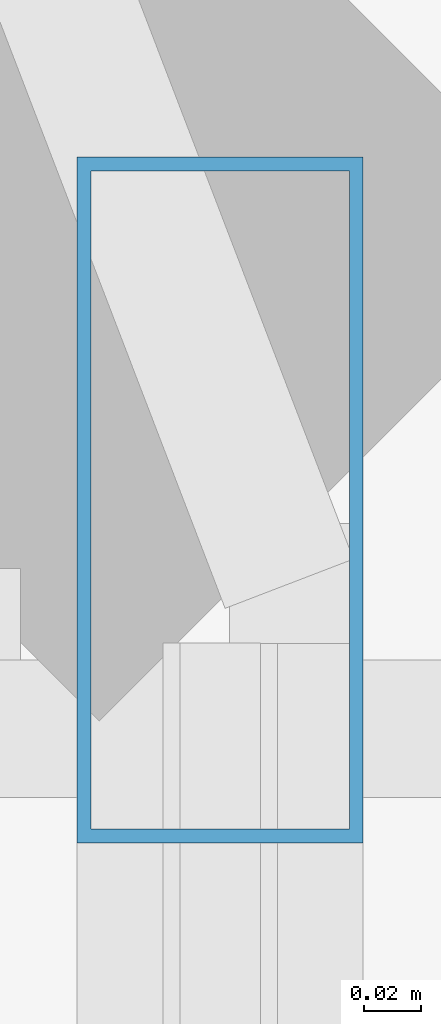
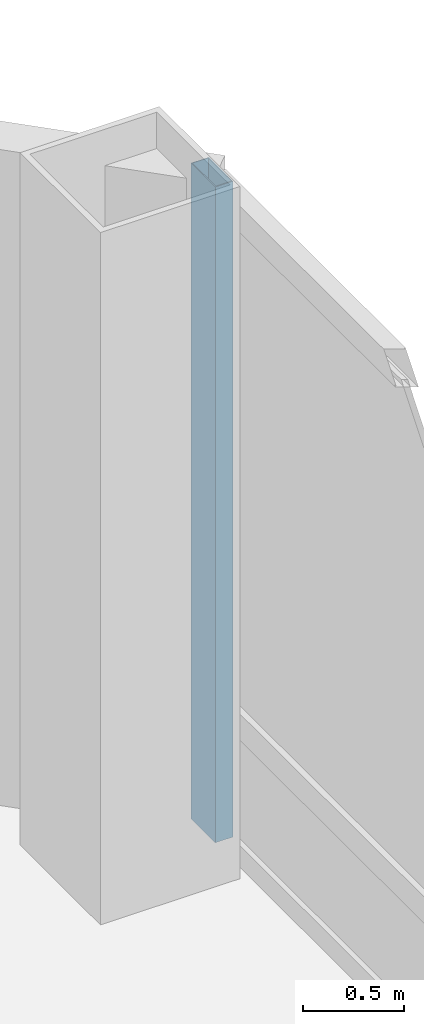
# One storey, part 17 of 29: 1 member, 1 element without a shape of its own.
"""IFC4 building model written with IfcOpenShell, lengths in metres."""

from ifc_helpers import new_model, si_unit, direction, frame, origin, origin_2d, place, context, subcontext, project, spatial, hollow_rectangle, extrude, material, layer, layer_set, material_profile, profile_set, type_object, element, aggregate, save


model = new_model("IFC4")

# Units and contexts
model_context = context("Model", 3, precision=1e-05, world=origin(), true_north=direction((0.0, 1.0)))
body_context = subcontext(model_context, "Body", "Model", "MODEL_VIEW")
ifc_project = project(units=[si_unit("LENGTHUNIT", "METRE"), si_unit("AREAUNIT", "SQUARE_METRE"), si_unit("VOLUMEUNIT", "CUBIC_METRE"), si_unit("PLANEANGLEUNIT", "RADIAN"), si_unit("MASSUNIT", "GRAM", prefix="KILO")], contexts=[model_context])

# Site, building, storey
site_placement = place(None, origin())
site = spatial("IfcSite", under=ifc_project, at=site_placement, CompositionType="ELEMENT")
building_placement = place(site_placement, origin())
building = spatial("IfcBuilding", under=site, at=building_placement, Name="Khorvyn Point Tower", CompositionType="ELEMENT")
storey_placement = place(building_placement, frame((0.0, 0.0, 26.39990234375)))
storey = spatial("IfcBuildingStorey", under=building, at=storey_placement, Name="L07", CompositionType="ELEMENT", Elevation=26.39990234375)

# Curtain wall, member
ifc_material_1 = material(Name="Anodised aluminium 6063-T6 and laminated Low-E glass", Category="aluminium")
ifc_layer = layer(ifc_material_1, 0.18994140625)
ifc_layer_set = layer_set([ifc_layer], Name="Stick-Built Finned Residential Curtain Wall CW-SYS-02")
curtain_wall_type = type_object("IfcCurtainWallType", Name="Stick-Built Finned Residential Curtain Wall CW-SYS-02", PredefinedType="NOTDEFINED", material=ifc_layer_set)
curtain_wall_placement = place(storey_placement, origin())
curtain_wall = element("IfcCurtainWall", 1, at=curtain_wall_placement, inside=storey, type_object=curtain_wall_type, Name="Curtain Wall", PredefinedType="NOTDEFINED")
ifc_material_2 = material(Name="Anodised aluminium 6063-T6", Category="aluminium")
ifc_material_profile = material_profile(ifc_material_2, hollow_rectangle(XDim=0.10009765625, YDim=0.239990234375, WallThickness=0.0048828125, at=origin_2d()))
ifc_profile_set = profile_set([ifc_material_profile], Name="Anodised aluminium 6063-T6 ALU-MUL-100x240")
member_type = type_object("IfcMemberType", Name="Anodised Aluminium 6063-T6 Mullion ALU-MUL-100x240", PredefinedType="MULLION", material=ifc_profile_set)
member_placement = place(storey_placement, frame((27.949951171875, 20.5, 0.0), z_axis=(0.0, 0.0, 1.0), x_axis=(1.0, 0.0, 0.0)))
member = element("IfcMember", 2, at=member_placement, type_object=member_type, Name="Transom", PredefinedType="MULLION", context=body_context, shape_type="SweptSolid", body=[
    extrude(hollow_rectangle(XDim=0.10009765625, YDim=0.239990234375, WallThickness=0.0048828125, at=origin_2d()), origin(), (0.0, 0.0, 1.0), 3.97998046875),
])
aggregate(curtain_wall, [member])

save(model, "model.ifc")
